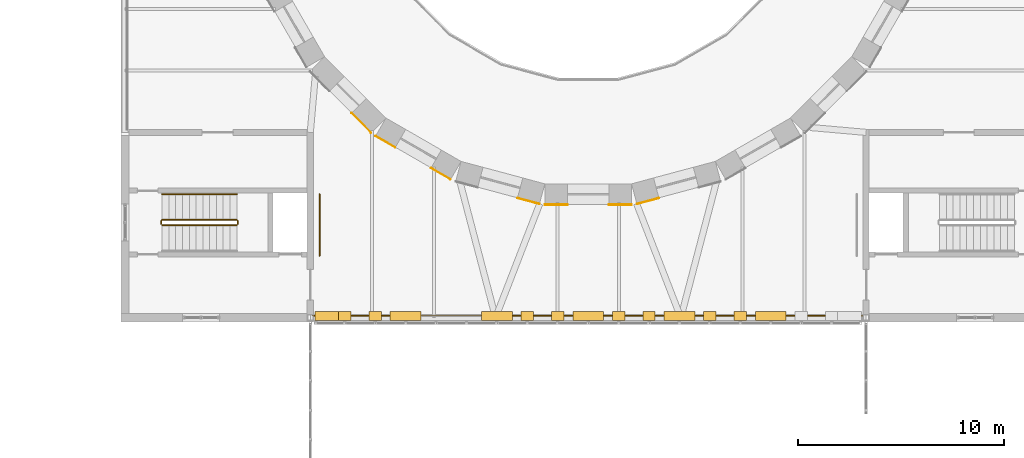
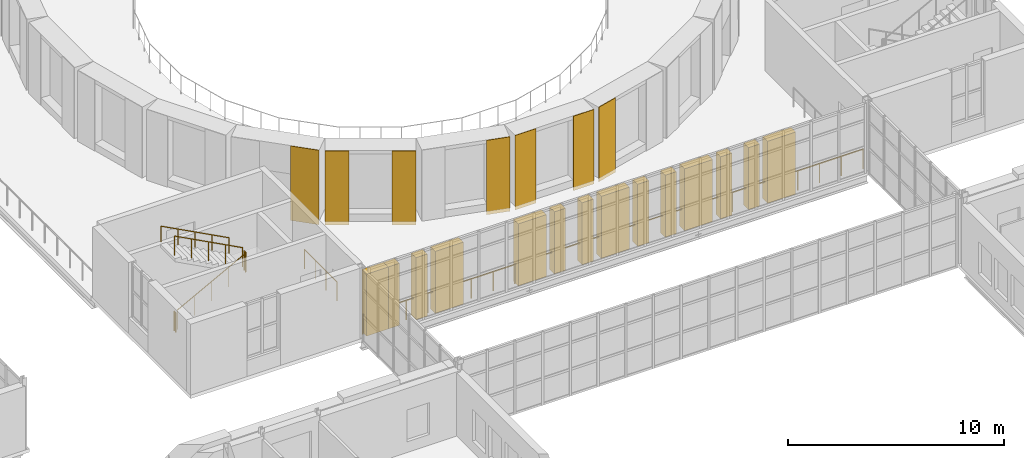
# One storey, part 146 of 154: 21 coverings, 7 railings.
"""IFC4 building model written with IfcOpenShell, lengths in metres."""

import ifcopenshell
import ifcopenshell.guid

model = None  # the IFC model being written
_history = None  # IfcOwnerHistory: only IFC2X3 demands one
_inside = {}  # id of a spatial element -> (the spatial element, [elements in it])
_under = {}  # id of a project, library or spatial element -> (it, [spatial elements below it])
_declared = {}  # id of a project -> (the project, [libraries it declares])
_typed = {}  # id of a type object -> (the type object, [elements of that type])
_made_of = {}  # id of a material, layer set ... -> (it, [elements and type objects made of it])


def new_model(schema):
    """Start an empty IFC model of exactly this schema.

    Asked for "IFC4X3", IfcOpenShell would pick the latest addendum, in which some entities
    have other attributes; the version numbers below select the first issue.
    IFC2X3 requires an IfcOwnerHistory on every rooted entity: one is made here for all.
    """
    global model, _history
    if schema == "IFC4X3":
        model = ifcopenshell.file(schema_version=(4, 3, 0, 0))
    else:
        model = ifcopenshell.file(schema=schema)
    _inside.clear()
    _under.clear()
    _declared.clear()
    _typed.clear()
    _made_of.clear()
    _history = None
    if model.schema == "IFC2X3":
        org = make("IfcOrganization", Name="unknown")
        user = make(
            "IfcPersonAndOrganization",
            ThePerson=make("IfcPerson", FamilyName="unknown"),
            TheOrganization=org,
        )
        app = make(
            "IfcApplication",
            ApplicationDeveloper=org,
            Version="unknown",
            ApplicationFullName="unknown",
            ApplicationIdentifier="unknown",
        )
        _history = make(
            "IfcOwnerHistory",
            OwningUser=user,
            OwningApplication=app,
            ChangeAction="ADDED",
            CreationDate=0,
        )
    return model


def make(cls, **values):
    """One entity of the class cls with the attributes given. An attribute that is None is left unset."""
    return model.create_entity(
        cls, **{name: value for name, value in values.items() if value is not None}
    )


def rooted(cls, **values):
    """An entity with a GlobalId (a new one), such as an element, a storey or a relation."""
    return make(cls, GlobalId=ifcopenshell.guid.new(), OwnerHistory=_history, **values)


def si_unit(unit_type, name, prefix=None):
    """IfcSIUnit, for example si_unit("LENGTHUNIT", "METRE", prefix="MILLI")."""
    return make("IfcSIUnit", UnitType=unit_type, Prefix=prefix, Name=name)


def assignment(units):
    """IfcUnitAssignment: the units of a project."""
    return None if units is None else make("IfcUnitAssignment", Units=units)


def point(xyz):
    """IfcCartesianPoint."""
    return None if xyz is None else make("IfcCartesianPoint", Coordinates=xyz)


def direction(xyz):
    """IfcDirection."""
    return None if xyz is None else make("IfcDirection", DirectionRatios=xyz)


def frame(location, z_axis=None, x_axis=None):
    """IfcAxis2Placement3D, a coordinate frame: its origin and axes. An axis left out is left unset."""
    return make(
        "IfcAxis2Placement3D",
        Location=point(location),
        Axis=direction(z_axis),
        RefDirection=direction(x_axis),
    )


def frame_2d(location, x_axis=None):
    """IfcAxis2Placement2D, a coordinate frame in the plane: its origin and x axis."""
    return make(
        "IfcAxis2Placement2D", Location=point(location), RefDirection=direction(x_axis)
    )


def origin():
    """The frame at (0, 0, 0) with its axes left unset."""
    return frame((0.0, 0.0, 0.0))


def origin_2d():
    """The frame at (0, 0) in the plane with its x axis left unset."""
    return frame_2d((0.0, 0.0))


def place(relative_to, where):
    """IfcLocalPlacement: puts the frame where relative to a parent placement (None: the world)."""
    return make(
        "IfcLocalPlacement", PlacementRelTo=relative_to, RelativePlacement=where
    )


def context(
    kind, dimensions, precision=None, world=None, true_north=None, identifier=None
):
    """IfcGeometricRepresentationContext, for example the 3D "Model" context."""
    return make(
        "IfcGeometricRepresentationContext",
        ContextIdentifier=identifier,
        ContextType=kind,
        CoordinateSpaceDimension=dimensions,
        Precision=precision,
        WorldCoordinateSystem=world,
        TrueNorth=true_north,
    )


def subcontext(parent, identifier, kind, view, scale=None):
    """IfcGeometricRepresentationSubContext, for example "Body" below "Model"."""
    return make(
        "IfcGeometricRepresentationSubContext",
        ContextIdentifier=identifier,
        ContextType=kind,
        ParentContext=parent,
        TargetScale=scale,
        TargetView=view,
    )


def project(units=None, contexts=None):
    """IfcProject with its units and contexts."""
    return rooted(
        "IfcProject",
        Name="project",
        RepresentationContexts=contexts,
        UnitsInContext=assignment(units),
    )


def spatial(cls, under=None, at=None, **own):
    """A site, building, storey or space (cls), placed at a placement, below another one or the project."""
    s = rooted(cls, ObjectPlacement=at, **own)
    if under is not None:
        _under.setdefault(under.id(), (under, []))[1].append(s)
    return s


def polyline(points):
    """IfcPolyline through the points."""
    return make("IfcPolyline", Points=[point(p) for p in points])


def profile(cls, at=None, kind="AREA", **sizes):
    """A parametric profile (cls). Its sizes go by their IFC names, for example OverallWidth=200.0."""
    return make(cls, ProfileType=kind, Position=at, **sizes)


def rectangle(**sizes):
    """IfcRectangleProfileDef."""
    return profile("IfcRectangleProfileDef", **sizes)


def circle(**sizes):
    """IfcCircleProfileDef."""
    return profile("IfcCircleProfileDef", **sizes)


def outline(outer, holes=None, kind="AREA"):
    """IfcArbitraryClosedProfileDef: a profile drawn as a closed curve; with holes, ...WithVoids."""
    if holes is None:
        return make("IfcArbitraryClosedProfileDef", ProfileType=kind, OuterCurve=outer)
    return make(
        "IfcArbitraryProfileDefWithVoids",
        ProfileType=kind,
        OuterCurve=outer,
        InnerCurves=holes,
    )


def extrude(swept, where, along, depth):
    """IfcExtrudedAreaSolid: the profile swept, set in the frame where, extruded along a direction by depth."""
    return make(
        "IfcExtrudedAreaSolid",
        SweptArea=swept,
        Position=where,
        ExtrudedDirection=direction(along),
        Depth=depth,
    )


def shape(context_of_items, identifier, shape_type, items):
    """IfcShapeRepresentation: the items that make up one representation, for example the "Body"."""
    return make(
        "IfcShapeRepresentation",
        ContextOfItems=context_of_items,
        RepresentationIdentifier=identifier,
        RepresentationType=shape_type,
        Items=items,
    )


def material(Name=None, Category=None):
    """IfcMaterial."""
    return make("IfcMaterial", Name=Name, Category=Category)


def layer(
    of_material, thickness, ventilated=None, Name=None, Category=None, Priority=None
):
    """IfcMaterialLayer: one layer of a wall or slab, of a material (None: an air gap)."""
    return make(
        "IfcMaterialLayer",
        Material=of_material,
        LayerThickness=thickness,
        IsVentilated=ventilated,
        Name=Name,
        Category=Category,
        Priority=Priority,
    )


def layer_set(layers, Name=None):
    """IfcMaterialLayerSet."""
    return make("IfcMaterialLayerSet", MaterialLayers=layers, LayerSetName=Name)


def made_of(thing, what):
    """Note that an element or type object is made of a material, layer set ...; save() writes the relation."""
    if what is not None:
        _made_of.setdefault(what.id(), (what, []))[1].append(thing)
    return thing


def type_object(cls, material=None, **own):
    """A type object (cls), such as IfcWallType, which elements share."""
    return made_of(rooted(cls, **own), material)


def element(
    cls,
    number,
    at=None,
    inside=None,
    cuts=None,
    type_object=None,
    material=None,
    context=None,
    identifier="Body",
    shape_type=None,
    held_by="IfcProductDefinitionShape",
    body=None,
    shapes=None,
    **own,
):
    """One element of the class cls, such as IfcWall. Its Tag is "e" and its number.

    at: its placement. inside: the storey or other place that contains it. cuts: it is an
    opening in that element (IfcRelVoidsElement). A single representation is given by context,
    identifier, shape_type and body (its items); several are given by shapes. held_by: the class
    of the entity that holds the representations. save() writes the other relations.
    """
    e = rooted(cls, Tag="e%d" % number, ObjectPlacement=at, **own)
    if body is not None:
        shapes = [shape(context, identifier, shape_type, body)]
    if shapes is not None:
        e.Representation = make(held_by, Representations=shapes)
    if inside is not None:
        _inside.setdefault(inside.id(), (inside, []))[1].append(e)
    if cuts is not None:
        rooted(
            "IfcRelVoidsElement", RelatingBuildingElement=cuts, RelatedOpeningElement=e
        )
    if type_object is not None:
        _typed.setdefault(type_object.id(), (type_object, []))[1].append(e)
    return made_of(e, material)


def aggregate(whole, parts):
    """IfcRelAggregates: a whole, such as a stair, and the parts it consists of."""
    return rooted("IfcRelAggregates", RelatingObject=whole, RelatedObjects=parts)


def save(model, path):
    """Write the relations noted so far, then the file.

    IfcRelAggregates (storeys below a building ...), IfcRelContainedInSpatialStructure (elements
    in a storey), IfcRelDefinesByType, IfcRelAssociatesMaterial and IfcRelDeclares: one each for
    every whole, place, type object, material and project.
    """
    for whole, parts in _under.values():
        aggregate(whole, parts)
    for where, things in _inside.values():
        rooted(
            "IfcRelContainedInSpatialStructure",
            RelatedElements=things,
            RelatingStructure=where,
        )
    for kind, things in _typed.values():
        rooted("IfcRelDefinesByType", RelatedObjects=things, RelatingType=kind)
    for what, things in _made_of.values():
        rooted("IfcRelAssociatesMaterial", RelatedObjects=things, RelatingMaterial=what)
    for by, libraries in _declared.values():
        rooted("IfcRelDeclares", RelatingContext=by, RelatedDefinitions=libraries)
    model.write(path)


model = new_model("IFC4")

# Units and contexts
model_context = context("Model", 3, precision=1e-05, world=origin(), true_north=direction((0.0, 1.0)))
body_context = subcontext(model_context, "Body", "Model", "MODEL_VIEW")
ifc_project = project(units=[si_unit("LENGTHUNIT", "METRE"), si_unit("AREAUNIT", "SQUARE_METRE"), si_unit("VOLUMEUNIT", "CUBIC_METRE"), si_unit("PLANEANGLEUNIT", "RADIAN"), si_unit("MASSUNIT", "GRAM", prefix="KILO")], contexts=[model_context])

# Site, building, storey
site_placement = place(None, origin())
site = spatial("IfcSite", under=ifc_project, at=site_placement, CompositionType="ELEMENT")
building_placement = place(site_placement, origin())
building = spatial("IfcBuilding", under=site, at=building_placement, Name="Golden Quay Civic Hall", CompositionType="ELEMENT")
storey_placement = place(building_placement, frame((0.0, 0.0, 14.39990234375)))
storey = spatial("IfcBuildingStorey", under=building, at=storey_placement, Name="L03", CompositionType="ELEMENT", Elevation=14.39990234375)

# Coverings
ifc_material_1 = material(Name="Ceramic tile")
ifc_layer = layer(ifc_material_1, 0.030029296875)
ifc_layer_set = layer_set([ifc_layer], Name="Ceramic tile cladding, green glaze")
covering_type_1 = type_object("IfcCoveringType", Name="Ceramic tile cladding, green glaze", PredefinedType="CLADDING", material=ifc_layer_set)
covering_1_placement = place(storey_placement, frame((74.478515625, 72.458740234375, -0.19970703125), z_axis=(0.0, 0.0, 1.0), x_axis=(0.707106781187, -0.707106781187, 0.0)))
element("IfcCovering", 1, at=covering_1_placement, inside=storey, type_object=covering_type_1, Name="Drum cladding 15.2", PredefinedType="CLADDING", context=body_context, shape_type="SweptSolid", body=[
    extrude(rectangle(XDim=1.3564453125, YDim=0.030029296875, at=origin_2d()), origin(), (0.0, 0.0, 1.0), 4.199951171875),
])
for number, where, z_axis, x_axis, name in (
    (2, (75.6474609375, 71.541259765625, -0.19970703125), (0.0, 0.0, 1.0), (0.866025403784, -0.5, 0.0), "Drum cladding 16.1"),
    (3, (78.337646484375, 69.988037109375, -0.19970703125), (0.0, 0.0, 1.0), (0.866025403784, -0.5, 0.0), "Drum cladding 16.2"),
    (4, (82.596435546875, 68.662841796875, -0.19970703125), (0.0, 0.0, 1.0), (0.965925826289, -0.258819045103, 0.0), "Drum cladding 17.2"),
    (5, (83.94677734375, 68.485107421875, -0.19970703125), (0.0, 0.0, 1.0), (1.0, 0.0, 0.0), "Drum cladding 18.1"),
    (6, (87.05322265625, 68.485107421875, -0.19970703125), (0.0, 0.0, 1.0), (1.0, 0.0, 0.0), "Drum cladding 18.2"),
    (7, (88.403564453125, 68.662841796875, -0.19970703125), (0.0, 0.0, 1.0), (0.965925826289, 0.258819045103, 0.0), "Drum cladding 19.1"),
):
    element("IfcCovering", number, at=place(storey_placement, frame(where, z_axis=z_axis, x_axis=x_axis)), inside=storey, type_object=covering_type_1, Name=name, PredefinedType="CLADDING", context=body_context, shape_type="SweptSolid", body=[
        extrude(rectangle(XDim=1.1064453125, YDim=0.030029296875, at=origin_2d()), origin(), (0.0, 0.0, 1.0), 4.199951171875),
    ])

# Railings
ifc_material_2 = material(Name="Steel S355", Category="steel")
railing_type_1 = type_object("IfcRailingType", Name="Steel guard 1100", PredefinedType="GUARDRAIL", material=ifc_material_2)
railing_1_placement = place(storey_placement, frame((64.800048828125, 67.5, 0.175048828125)))
element("IfcRailing", 8, at=railing_1_placement, inside=storey, type_object=railing_type_1, Name="L03 CB-SW stair guard 1", PredefinedType="GUARDRAIL", context=body_context, shape_type="SweptSolid", body=[
    extrude(circle(Radius=0.02392578125, at=origin_2d()), frame((0.0, 0.0, 1.076171875), z_axis=(0.883450922709, 0.0, 0.468523710355), x_axis=(0.0, 1.0, 0.0)), (0.0, 0.0, 1.0), 4.108642578125),
    extrude(circle(Radius=0.02099609375, at=origin_2d()), origin(), (0.0, 0.0, 1.0), 1.052001953125),
    extrude(circle(Radius=0.02099609375, at=origin_2d()), frame((0.907470703125, 0.0, 0.481201171875)), (0.0, 0.0, 1.0), 1.052001953125),
    extrude(circle(Radius=0.02099609375, at=origin_2d()), frame((1.81494140625, 0.0, 0.96240234375)), (0.0, 0.0, 1.0), 1.052001953125),
    extrude(circle(Radius=0.02099609375, at=origin_2d()), frame((2.722412109375, 0.0, 1.44384765625)), (0.0, 0.0, 1.0), 1.052001953125),
    extrude(circle(Radius=0.02099609375, at=origin_2d()), frame((3.6298828125, 0.0, 1.925048828125)), (0.0, 0.0, 1.0), 1.052001953125),
])
railing_2_placement = place(storey_placement, frame((68.47998046875, 67.550048828125, 2.10009765625)))
element("IfcRailing", 9, at=railing_2_placement, inside=storey, type_object=railing_type_1, Name="L03 CB-SW stair guard 2", PredefinedType="GUARDRAIL", context=body_context, shape_type="SweptSolid", body=[
    extrude(circle(Radius=0.02392578125, at=origin_2d()), frame((0.0, 0.0, 1.076171875), z_axis=(0.0, 1.0, 0.0), x_axis=(-1.0, 0.0, 0.0)), (0.0, 0.0, 1.0), 0.14990234375),
    extrude(circle(Radius=0.02099609375, at=origin_2d()), origin(), (0.0, 0.0, 1.0), 1.052001953125),
    extrude(circle(Radius=0.02099609375, at=origin_2d()), frame((0.0, 0.14990234375, 0.0)), (0.0, 0.0, 1.0), 1.052001953125),
])
railing_3_placement = place(storey_placement, frame((68.429931640625, 67.75, 2.275146484375)))
element("IfcRailing", 10, at=railing_3_placement, inside=storey, type_object=railing_type_1, Name="L03 CB-SW stair guard 3", PredefinedType="GUARDRAIL", context=body_context, shape_type="SweptSolid", body=[
    extrude(circle(Radius=0.02392578125, at=origin_2d()), frame((0.0, 0.0, 1.076171875), z_axis=(-0.883450922709, 0.0, 0.468523710355), x_axis=(0.0, -1.0, 0.0)), (0.0, 0.0, 1.0), 4.108642578125),
    extrude(circle(Radius=0.02099609375, at=origin_2d()), origin(), (0.0, 0.0, 1.0), 1.052001953125),
    extrude(circle(Radius=0.02099609375, at=origin_2d()), frame((-0.907470703125, 0.0, 0.481201171875)), (0.0, 0.0, 1.0), 1.052001953125),
    extrude(circle(Radius=0.02099609375, at=origin_2d()), frame((-1.81494140625, 0.0, 0.96240234375)), (0.0, 0.0, 1.0), 1.052001953125),
    extrude(circle(Radius=0.02099609375, at=origin_2d()), frame((-2.722412109375, 0.0, 1.44384765625)), (0.0, 0.0, 1.0), 1.052001953125),
    extrude(circle(Radius=0.02099609375, at=origin_2d()), frame((-3.6298828125, 0.0, 1.925048828125)), (0.0, 0.0, 1.0), 1.052001953125),
])
railing_4_placement = place(storey_placement, frame((64.75, 67.550048828125, 0.0)))
element("IfcRailing", 11, at=railing_4_placement, inside=storey, type_object=railing_type_1, Name="L03 CB-SW stair guard 4", PredefinedType="GUARDRAIL", context=body_context, shape_type="SweptSolid", body=[
    extrude(circle(Radius=0.02392578125, at=origin_2d()), frame((0.0, 0.0, 1.076171875), z_axis=(0.0, 1.0, 0.0), x_axis=(-1.0, 0.0, 0.0)), (0.0, 0.0, 1.0), 0.14990234375),
    extrude(circle(Radius=0.02099609375, at=origin_2d()), origin(), (0.0, 0.0, 1.0), 1.052001953125),
    extrude(circle(Radius=0.02099609375, at=origin_2d()), frame((0.0, 0.14990234375, 0.0)), (0.0, 0.0, 1.0), 1.052001953125),
])
ifc_material_3 = material(Name="Steel S355", Category="steel")
railing_type_2 = type_object("IfcRailingType", Name="Steel guard 1100 terrace", PredefinedType="GUARDRAIL", material=ifc_material_3)
railing_5_placement = place(storey_placement, frame((72.14990234375, 63.10009765625, 0.0)))
element("IfcRailing", 12, at=railing_5_placement, inside=storey, type_object=railing_type_2, Name="Terrace guard 1", PredefinedType="GUARDRAIL", context=body_context, shape_type="SweptSolid", body=[
    extrude(circle(Radius=0.02392578125, at=origin_2d()), frame((0.0, 0.0, 1.076171875), z_axis=(1.0, 0.0, 0.0), x_axis=(0.0, 1.0, 0.0)), (0.0, 0.0, 1.0), 26.7001953125),
    extrude(circle(Radius=0.02099609375, at=origin_2d()), origin(), (0.0, 0.0, 1.0), 1.052001953125),
    extrude(circle(Radius=0.02099609375, at=origin_2d()), frame((1.160888671875, 0.0, 0.0)), (0.0, 0.0, 1.0), 1.052001953125),
    extrude(circle(Radius=0.02099609375, at=origin_2d()), frame((2.32177734375, 0.0, 0.0)), (0.0, 0.0, 1.0), 1.052001953125),
    extrude(circle(Radius=0.02099609375, at=origin_2d()), frame((3.482666015625, 0.0, 0.0)), (0.0, 0.0, 1.0), 1.052001953125),
    extrude(circle(Radius=0.02099609375, at=origin_2d()), frame((4.6435546875, 0.0, 0.0)), (0.0, 0.0, 1.0), 1.052001953125),
    extrude(circle(Radius=0.02099609375, at=origin_2d()), frame((5.804443359375, 0.0, 0.0)), (0.0, 0.0, 1.0), 1.052001953125),
    extrude(circle(Radius=0.02099609375, at=origin_2d()), frame((6.96533203125, 0.0, 0.0)), (0.0, 0.0, 1.0), 1.052001953125),
    extrude(circle(Radius=0.02099609375, at=origin_2d()), frame((8.126220703125, 0.0, 0.0)), (0.0, 0.0, 1.0), 1.052001953125),
    extrude(circle(Radius=0.02099609375, at=origin_2d()), frame((9.287109375, 0.0, 0.0)), (0.0, 0.0, 1.0), 1.052001953125),
    extrude(circle(Radius=0.02099609375, at=origin_2d()), frame((10.447998046875, 0.0, 0.0)), (0.0, 0.0, 1.0), 1.052001953125),
    extrude(circle(Radius=0.02099609375, at=origin_2d()), frame((11.60888671875, 0.0, 0.0)), (0.0, 0.0, 1.0), 1.052001953125),
    extrude(circle(Radius=0.02099609375, at=origin_2d()), frame((12.769775390625, 0.0, 0.0)), (0.0, 0.0, 1.0), 1.052001953125),
    extrude(circle(Radius=0.02099609375, at=origin_2d()), frame((13.930419921875, 0.0, 0.0)), (0.0, 0.0, 1.0), 1.052001953125),
    extrude(circle(Radius=0.02099609375, at=origin_2d()), frame((15.09130859375, 0.0, 0.0)), (0.0, 0.0, 1.0), 1.052001953125),
    extrude(circle(Radius=0.02099609375, at=origin_2d()), frame((16.252197265625, 0.0, 0.0)), (0.0, 0.0, 1.0), 1.052001953125),
    extrude(circle(Radius=0.02099609375, at=origin_2d()), frame((17.4130859375, 0.0, 0.0)), (0.0, 0.0, 1.0), 1.052001953125),
    extrude(circle(Radius=0.02099609375, at=origin_2d()), frame((18.573974609375, 0.0, 0.0)), (0.0, 0.0, 1.0), 1.052001953125),
    extrude(circle(Radius=0.02099609375, at=origin_2d()), frame((19.73486328125, 0.0, 0.0)), (0.0, 0.0, 1.0), 1.052001953125),
    extrude(circle(Radius=0.02099609375, at=origin_2d()), frame((20.895751953125, 0.0, 0.0)), (0.0, 0.0, 1.0), 1.052001953125),
    extrude(circle(Radius=0.02099609375, at=origin_2d()), frame((22.056640625, 0.0, 0.0)), (0.0, 0.0, 1.0), 1.052001953125),
    extrude(circle(Radius=0.02099609375, at=origin_2d()), frame((23.217529296875, 0.0, 0.0)), (0.0, 0.0, 1.0), 1.052001953125),
    extrude(circle(Radius=0.02099609375, at=origin_2d()), frame((24.37841796875, 0.0, 0.0)), (0.0, 0.0, 1.0), 1.052001953125),
    extrude(circle(Radius=0.02099609375, at=origin_2d()), frame((25.539306640625, 0.0, 0.0)), (0.0, 0.0, 1.0), 1.052001953125),
    extrude(circle(Radius=0.02099609375, at=origin_2d()), frame((26.7001953125, 0.0, 0.0)), (0.0, 0.0, 1.0), 1.052001953125),
])
railing_6_placement = place(storey_placement, frame((72.449951171875, 66.0, 0.0)))
element("IfcRailing", 13, at=railing_6_placement, inside=storey, type_object=railing_type_2, Name="Pocket guard SW", PredefinedType="GUARDRAIL", context=body_context, shape_type="SweptSolid", body=[
    extrude(circle(Radius=0.02392578125, at=origin_2d()), frame((0.0, 0.0, 1.076171875), z_axis=(0.0, 1.0, 0.0), x_axis=(-1.0, 0.0, 0.0)), (0.0, 0.0, 1.0), 3.0),
    extrude(circle(Radius=0.02099609375, at=origin_2d()), origin(), (0.0, 0.0, 1.0), 1.052001953125),
    extrude(circle(Radius=0.02099609375, at=origin_2d()), frame((0.0, 1.0, 0.0)), (0.0, 0.0, 1.0), 1.052001953125),
    extrude(circle(Radius=0.02099609375, at=origin_2d()), frame((0.0, 2.0, 0.0)), (0.0, 0.0, 1.0), 1.052001953125),
    extrude(circle(Radius=0.02099609375, at=origin_2d()), frame((0.0, 3.0, 0.0)), (0.0, 0.0, 1.0), 1.052001953125),
])
ifc_material_4 = material(Name="Steel S355", Category="steel")
railing_type_3 = type_object("IfcRailingType", Name="Steel handrail 900", PredefinedType="HANDRAIL", material=ifc_material_4)
railing_7_placement = place(storey_placement, frame((68.429931640625, 69.0, 2.275146484375)))
element("IfcRailing", 14, at=railing_7_placement, inside=storey, type_object=railing_type_3, Name="L03 CB-SW stair handrail 2", PredefinedType="HANDRAIL", context=body_context, shape_type="SweptSolid", body=[
    extrude(circle(Radius=0.02392578125, at=origin_2d()), frame((0.0, 0.0, 0.8759765625), z_axis=(-0.883450922709, 0.0, 0.468523710355), x_axis=(0.0, -1.0, 0.0)), (0.0, 0.0, 1.0), 4.108642578125),
    extrude(circle(Radius=0.02099609375, at=origin_2d()), origin(), (0.0, 0.0, 1.0), 0.851806640625),
    extrude(circle(Radius=0.02099609375, at=origin_2d()), frame((-0.907470703125, 0.0, 0.481201171875)), (0.0, 0.0, 1.0), 0.851806640625),
    extrude(circle(Radius=0.02099609375, at=origin_2d()), frame((-1.81494140625, 0.0, 0.96240234375)), (0.0, 0.0, 1.0), 0.851806640625),
    extrude(circle(Radius=0.02099609375, at=origin_2d()), frame((-2.722412109375, 0.0, 1.44384765625)), (0.0, 0.0, 1.0), 0.851806640625),
    extrude(circle(Radius=0.02099609375, at=origin_2d()), frame((-3.6298828125, 0.0, 1.925048828125)), (0.0, 0.0, 1.0), 0.851806640625),
])

# Coverings
ifc_material_5 = material(Name="Terracotta cladding, golden glaze", Category="masonry")
covering_type_2 = type_object("IfcCoveringType", Name="Terracotta hall screen minor pier 600 x 450", PredefinedType="CLADDING", material=ifc_material_5)
covering_2_placement = place(storey_placement, origin())
element("IfcCovering", 15, at=covering_2_placement, inside=storey, type_object=covering_type_2, Name="Hall screen minor pier north L03 1", PredefinedType="CLADDING", context=body_context, shape_type="SweptSolid", body=[
    extrude(outline(polyline([(73.3779296875, 63.300048828125), (73.97802734375, 63.300048828125), (73.97802734375, 62.85009765625), (73.3779296875, 62.85009765625), (73.3779296875, 63.300048828125)])), origin(), (0.0, 0.0, 1.0), 3.5),
])
covering_3_placement = place(storey_placement, origin())
element("IfcCovering", 16, at=covering_3_placement, inside=storey, type_object=covering_type_2, Name="Hall screen minor pier north L03 2", PredefinedType="CLADDING", context=body_context, shape_type="SweptSolid", body=[
    extrude(outline(polyline([(74.85595703125, 63.300048828125), (75.4560546875, 63.300048828125), (75.4560546875, 62.85009765625), (74.85595703125, 62.85009765625), (74.85595703125, 63.300048828125)])), origin(), (0.0, 0.0, 1.0), 3.5),
])
covering_4_placement = place(storey_placement, origin())
element("IfcCovering", 17, at=covering_4_placement, inside=storey, type_object=covering_type_2, Name="Hall screen minor pier north L03 7", PredefinedType="CLADDING", context=body_context, shape_type="SweptSolid", body=[
    extrude(outline(polyline([(82.243896484375, 63.300048828125), (82.843994140625, 63.300048828125), (82.843994140625, 62.85009765625), (82.243896484375, 62.85009765625), (82.243896484375, 63.300048828125)])), origin(), (0.0, 0.0, 1.0), 3.5),
])
covering_5_placement = place(storey_placement, origin())
element("IfcCovering", 18, at=covering_5_placement, inside=storey, type_object=covering_type_2, Name="Hall screen minor pier north L03 8", PredefinedType="CLADDING", context=body_context, shape_type="SweptSolid", body=[
    extrude(outline(polyline([(83.721923828125, 63.300048828125), (84.322021484375, 63.300048828125), (84.322021484375, 62.85009765625), (83.721923828125, 62.85009765625), (83.721923828125, 63.300048828125)])), origin(), (0.0, 0.0, 1.0), 3.5),
])
covering_6_placement = place(storey_placement, origin())
element("IfcCovering", 19, at=covering_6_placement, inside=storey, type_object=covering_type_2, Name="Hall screen minor pier north L03 10", PredefinedType="CLADDING", context=body_context, shape_type="SweptSolid", body=[
    extrude(outline(polyline([(86.677978515625, 63.300048828125), (87.278076171875, 63.300048828125), (87.278076171875, 62.85009765625), (86.677978515625, 62.85009765625), (86.677978515625, 63.300048828125)])), origin(), (0.0, 0.0, 1.0), 3.5),
])
covering_7_placement = place(storey_placement, origin())
element("IfcCovering", 20, at=covering_7_placement, inside=storey, type_object=covering_type_2, Name="Hall screen minor pier north L03 11", PredefinedType="CLADDING", context=body_context, shape_type="SweptSolid", body=[
    extrude(outline(polyline([(88.156005859375, 63.300048828125), (88.756103515625, 63.300048828125), (88.756103515625, 62.85009765625), (88.156005859375, 62.85009765625), (88.156005859375, 63.300048828125)])), origin(), (0.0, 0.0, 1.0), 3.5),
])
covering_8_placement = place(storey_placement, origin())
element("IfcCovering", 21, at=covering_8_placement, inside=storey, type_object=covering_type_2, Name="Hall screen minor pier north L03 13", PredefinedType="CLADDING", context=body_context, shape_type="SweptSolid", body=[
    extrude(outline(polyline([(91.111083984375, 63.300048828125), (91.7109375, 63.300048828125), (91.7109375, 62.85009765625), (91.111083984375, 62.85009765625), (91.111083984375, 63.300048828125)])), origin(), (0.0, 0.0, 1.0), 3.5),
])
covering_9_placement = place(storey_placement, origin())
element("IfcCovering", 22, at=covering_9_placement, inside=storey, type_object=covering_type_2, Name="Hall screen minor pier north L03 14", PredefinedType="CLADDING", context=body_context, shape_type="SweptSolid", body=[
    extrude(outline(polyline([(92.589111328125, 63.300048828125), (93.18896484375, 63.300048828125), (93.18896484375, 62.85009765625), (92.589111328125, 62.85009765625), (92.589111328125, 63.300048828125)])), origin(), (0.0, 0.0, 1.0), 3.5),
])
ifc_material_6 = material(Name="Terracotta cladding, golden glaze", Category="masonry")
covering_type_3 = type_object("IfcCoveringType", Name="Terracotta hall screen pier 1500 x 450", PredefinedType="CLADDING", material=ifc_material_6)
covering_10_placement = place(storey_placement, origin())
element("IfcCovering", 23, at=covering_10_placement, inside=storey, type_object=covering_type_3, Name="Hall screen pier north L03 0", PredefinedType="CLADDING", context=body_context, shape_type="SweptSolid", body=[
    extrude(outline(polyline([(72.219970703125, 63.300048828125), (73.719970703125, 63.300048828125), (73.719970703125, 62.85009765625), (72.219970703125, 62.85009765625), (72.219970703125, 63.300048828125)])), origin(), (0.0, 0.0, 1.0), 3.5),
])
covering_11_placement = place(storey_placement, origin())
element("IfcCovering", 24, at=covering_11_placement, inside=storey, type_object=covering_type_3, Name="Hall screen pier north L03 3", PredefinedType="CLADDING", context=body_context, shape_type="SweptSolid", body=[
    extrude(outline(polyline([(75.883056640625, 63.300048828125), (77.383056640625, 63.300048828125), (77.383056640625, 62.85009765625), (75.883056640625, 62.85009765625), (75.883056640625, 63.300048828125)])), origin(), (0.0, 0.0, 1.0), 3.5),
])
covering_12_placement = place(storey_placement, origin())
element("IfcCovering", 25, at=covering_12_placement, inside=storey, type_object=covering_type_3, Name="Hall screen pier north L03 6", PredefinedType="CLADDING", context=body_context, shape_type="SweptSolid", body=[
    extrude(outline(polyline([(80.31689453125, 63.300048828125), (81.81689453125, 63.300048828125), (81.81689453125, 62.85009765625), (80.31689453125, 62.85009765625), (80.31689453125, 63.300048828125)])), origin(), (0.0, 0.0, 1.0), 3.5),
])
covering_13_placement = place(storey_placement, origin())
element("IfcCovering", 26, at=covering_13_placement, inside=storey, type_object=covering_type_3, Name="Hall screen pier north L03 9", PredefinedType="CLADDING", context=body_context, shape_type="SweptSolid", body=[
    extrude(outline(polyline([(84.75, 63.300048828125), (86.25, 63.300048828125), (86.25, 62.85009765625), (84.75, 62.85009765625), (84.75, 63.300048828125)])), origin(), (0.0, 0.0, 1.0), 3.5),
])
covering_14_placement = place(storey_placement, origin())
element("IfcCovering", 27, at=covering_14_placement, inside=storey, type_object=covering_type_3, Name="Hall screen pier north L03 12", PredefinedType="CLADDING", context=body_context, shape_type="SweptSolid", body=[
    extrude(outline(polyline([(89.18310546875, 63.300048828125), (90.68310546875, 63.300048828125), (90.68310546875, 62.85009765625), (89.18310546875, 62.85009765625), (89.18310546875, 63.300048828125)])), origin(), (0.0, 0.0, 1.0), 3.5),
])
covering_15_placement = place(storey_placement, origin())
element("IfcCovering", 28, at=covering_15_placement, inside=storey, type_object=covering_type_3, Name="Hall screen pier north L03 15", PredefinedType="CLADDING", context=body_context, shape_type="SweptSolid", body=[
    extrude(outline(polyline([(93.616943359375, 63.300048828125), (95.116943359375, 63.300048828125), (95.116943359375, 62.85009765625), (93.616943359375, 62.85009765625), (93.616943359375, 63.300048828125)])), origin(), (0.0, 0.0, 1.0), 3.5),
])

save(model, "model.ifc")
